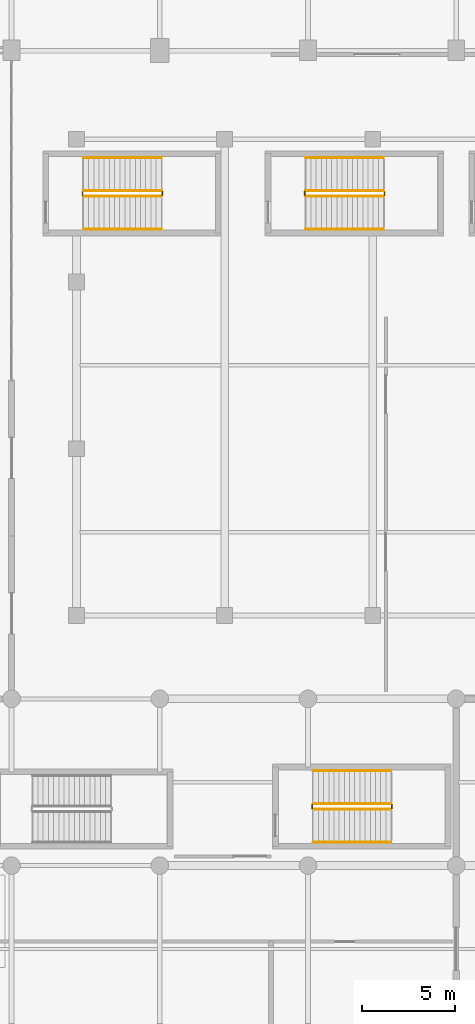
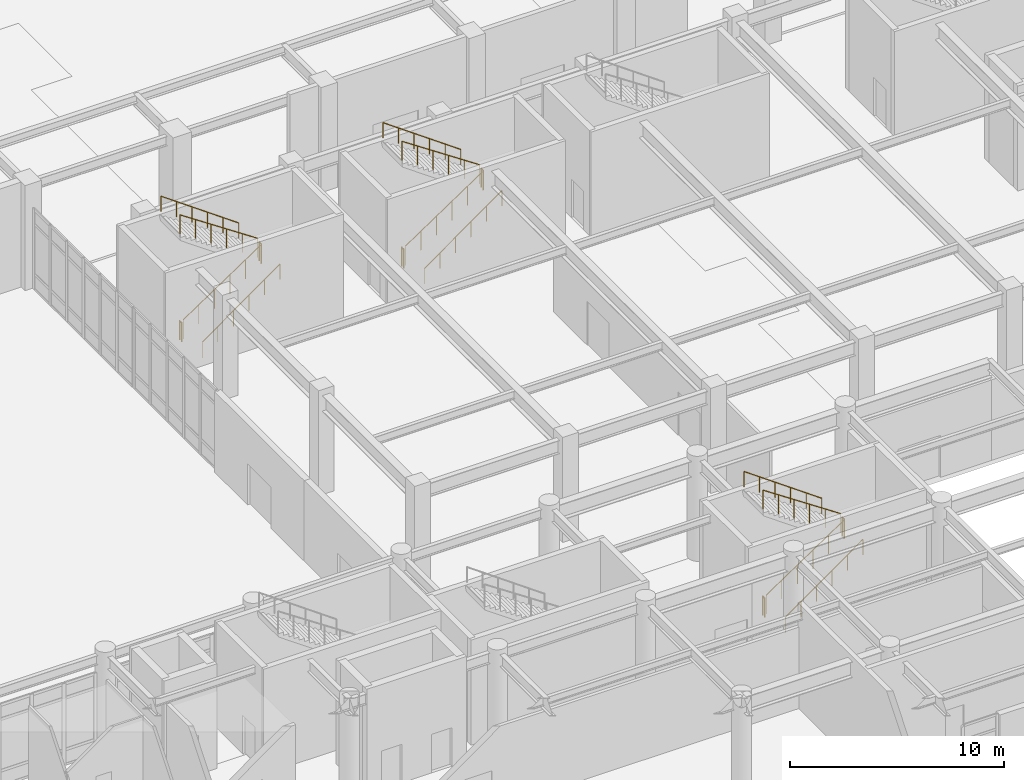
# One storey, part 44 of 49: 18 railings.
"""IFC4 building model written with IfcOpenShell, lengths in metres."""

from ifc_helpers import new_model, si_unit, direction, frame, origin, origin_2d, place, context, subcontext, project, spatial, circle, extrude, material, type_object, element, save


model = new_model("IFC4")

# Units and contexts
model_context = context("Model", 3, precision=1e-05, world=origin(), true_north=direction((0.0, 1.0)))
body_context = subcontext(model_context, "Body", "Model", "MODEL_VIEW")
ifc_project = project(units=[si_unit("LENGTHUNIT", "METRE"), si_unit("AREAUNIT", "SQUARE_METRE"), si_unit("VOLUMEUNIT", "CUBIC_METRE"), si_unit("PLANEANGLEUNIT", "RADIAN"), si_unit("MASSUNIT", "GRAM", prefix="KILO")], contexts=[model_context])

# Site, building, storey
site_placement = place(None, origin())
site = spatial("IfcSite", under=ifc_project, at=site_placement, CompositionType="ELEMENT")
building_placement = place(site_placement, origin())
building = spatial("IfcBuilding", under=site, at=building_placement, Name="Tlacozan Convention Centre", CompositionType="ELEMENT")
storey_placement = place(building_placement, origin())
storey = spatial("IfcBuildingStorey", under=building, at=storey_placement, Name="L00", CompositionType="ELEMENT", Elevation=0.0)

# Railings
ifc_material = material(Name="Architectural Painted Galvanised Steel Railing", Category="steel")
railing_type_1 = type_object("IfcRailingType", Name="Stair Wall Handrail 900", PredefinedType="HANDRAIL", material=ifc_material)
railing_1_placement = place(storey_placement, frame((104.280029296875, 19.25, 0.1875)))
element("IfcRailing", 1, at=railing_1_placement, inside=storey, type_object=railing_type_1, Name="L00 ST-05 stair handrail 1", PredefinedType="HANDRAIL", context=body_context, shape_type="SweptSolid", body=[
    extrude(circle(Radius=0.02392578125, at=origin_2d()), frame((0.0, 0.0, 0.8759765625), z_axis=(0.813730275137, 0.0, 0.581242668191), x_axis=(0.0, 1.0, 0.0)), (0.0, 0.0, 1.0), 5.161376953125),
    extrude(circle(Radius=0.02099609375, at=origin_2d()), origin(), (0.0, 0.0, 1.0), 0.851806640625),
    extrude(circle(Radius=0.02099609375, at=origin_2d()), frame((0.840087890625, 0.0, 0.60009765625)), (0.0, 0.0, 1.0), 0.851806640625),
    extrude(circle(Radius=0.02099609375, at=origin_2d()), frame((1.679931640625, 0.0, 1.199951171875)), (0.0, 0.0, 1.0), 0.851806640625),
    extrude(circle(Radius=0.02099609375, at=origin_2d()), frame((2.52001953125, 0.0, 1.800048828125)), (0.0, 0.0, 1.0), 0.851806640625),
    extrude(circle(Radius=0.02099609375, at=origin_2d()), frame((3.35986328125, 0.0, 2.39990234375)), (0.0, 0.0, 1.0), 0.851806640625),
    extrude(circle(Radius=0.02099609375, at=origin_2d()), frame((4.199951171875, 0.0, 3.0)), (0.0, 0.0, 1.0), 0.851806640625),
])
railing_2_placement = place(storey_placement, frame((108.47998046875, 23.110107421875, 3.1875)))
element("IfcRailing", 2, at=railing_2_placement, inside=storey, type_object=railing_type_1, Name="L00 ST-05 stair handrail 2", PredefinedType="HANDRAIL", context=body_context, shape_type="SweptSolid", body=[
    extrude(circle(Radius=0.02392578125, at=origin_2d()), frame((0.0, 0.0, 0.8759765625), z_axis=(-0.813730275137, 0.0, 0.581242668191), x_axis=(0.0, -1.0, 0.0)), (0.0, 0.0, 1.0), 5.161376953125),
    extrude(circle(Radius=0.02099609375, at=origin_2d()), origin(), (0.0, 0.0, 1.0), 0.851806640625),
    extrude(circle(Radius=0.02099609375, at=origin_2d()), frame((-0.840087890625, 0.0, 0.60009765625)), (0.0, 0.0, 1.0), 0.851806640625),
    extrude(circle(Radius=0.02099609375, at=origin_2d()), frame((-1.679931640625, 0.0, 1.199951171875)), (0.0, 0.0, 1.0), 0.851806640625),
    extrude(circle(Radius=0.02099609375, at=origin_2d()), frame((-2.52001953125, 0.0, 1.800048828125)), (0.0, 0.0, 1.0), 0.851806640625),
    extrude(circle(Radius=0.02099609375, at=origin_2d()), frame((-3.35986328125, 0.0, 2.39990234375)), (0.0, 0.0, 1.0), 0.851806640625),
    extrude(circle(Radius=0.02099609375, at=origin_2d()), frame((-4.199951171875, 0.0, 3.0)), (0.0, 0.0, 1.0), 0.851806640625),
])
railing_3_placement = place(storey_placement, frame((91.8798828125, 52.35009765625, 0.1875)))
element("IfcRailing", 3, at=railing_3_placement, inside=storey, type_object=railing_type_1, Name="L00 ST-06 stair handrail 1", PredefinedType="HANDRAIL", context=body_context, shape_type="SweptSolid", body=[
    extrude(circle(Radius=0.02392578125, at=origin_2d()), frame((0.0, 0.0, 0.8759765625), z_axis=(0.813746254747, 0.0, 0.581220296346), x_axis=(0.0, 1.0, 0.0)), (0.0, 0.0, 1.0), 5.16162109375),
    extrude(circle(Radius=0.02099609375, at=origin_2d()), origin(), (0.0, 0.0, 1.0), 0.851806640625),
    extrude(circle(Radius=0.02099609375, at=origin_2d()), frame((0.840087890625, 0.0, 0.60009765625)), (0.0, 0.0, 1.0), 0.851806640625),
    extrude(circle(Radius=0.02099609375, at=origin_2d()), frame((1.68017578125, 0.0, 1.199951171875)), (0.0, 0.0, 1.0), 0.851806640625),
    extrude(circle(Radius=0.02099609375, at=origin_2d()), frame((2.52001953125, 0.0, 1.800048828125)), (0.0, 0.0, 1.0), 0.851806640625),
    extrude(circle(Radius=0.02099609375, at=origin_2d()), frame((3.360107421875, 0.0, 2.39990234375)), (0.0, 0.0, 1.0), 0.851806640625),
    extrude(circle(Radius=0.02099609375, at=origin_2d()), frame((4.2001953125, 0.0, 3.0)), (0.0, 0.0, 1.0), 0.851806640625),
])
railing_4_placement = place(storey_placement, frame((96.080078125, 56.2099609375, 3.1875)))
element("IfcRailing", 4, at=railing_4_placement, inside=storey, type_object=railing_type_1, Name="L00 ST-06 stair handrail 2", PredefinedType="HANDRAIL", context=body_context, shape_type="SweptSolid", body=[
    extrude(circle(Radius=0.02392578125, at=origin_2d()), frame((0.0, 0.0, 0.8759765625), z_axis=(-0.813746254747, 0.0, 0.581220296346), x_axis=(0.0, -1.0, 0.0)), (0.0, 0.0, 1.0), 5.16162109375),
    extrude(circle(Radius=0.02099609375, at=origin_2d()), origin(), (0.0, 0.0, 1.0), 0.851806640625),
    extrude(circle(Radius=0.02099609375, at=origin_2d()), frame((-0.840087890625, 0.0, 0.60009765625)), (0.0, 0.0, 1.0), 0.851806640625),
    extrude(circle(Radius=0.02099609375, at=origin_2d()), frame((-1.68017578125, 0.0, 1.199951171875)), (0.0, 0.0, 1.0), 0.851806640625),
    extrude(circle(Radius=0.02099609375, at=origin_2d()), frame((-2.52001953125, 0.0, 1.800048828125)), (0.0, 0.0, 1.0), 0.851806640625),
    extrude(circle(Radius=0.02099609375, at=origin_2d()), frame((-3.360107421875, 0.0, 2.39990234375)), (0.0, 0.0, 1.0), 0.851806640625),
    extrude(circle(Radius=0.02099609375, at=origin_2d()), frame((-4.2001953125, 0.0, 3.0)), (0.0, 0.0, 1.0), 0.851806640625),
])
railing_5_placement = place(storey_placement, frame((103.8798828125, 52.35009765625, 0.1875)))
element("IfcRailing", 5, at=railing_5_placement, inside=storey, type_object=railing_type_1, Name="L00 ST-17 stair handrail 1", PredefinedType="HANDRAIL", context=body_context, shape_type="SweptSolid", body=[
    extrude(circle(Radius=0.02392578125, at=origin_2d()), frame((0.0, 0.0, 0.8759765625), z_axis=(0.813746254747, 0.0, 0.581220296346), x_axis=(0.0, 1.0, 0.0)), (0.0, 0.0, 1.0), 5.16162109375),
    extrude(circle(Radius=0.02099609375, at=origin_2d()), origin(), (0.0, 0.0, 1.0), 0.851806640625),
    extrude(circle(Radius=0.02099609375, at=origin_2d()), frame((0.840087890625, 0.0, 0.60009765625)), (0.0, 0.0, 1.0), 0.851806640625),
    extrude(circle(Radius=0.02099609375, at=origin_2d()), frame((1.68017578125, 0.0, 1.199951171875)), (0.0, 0.0, 1.0), 0.851806640625),
    extrude(circle(Radius=0.02099609375, at=origin_2d()), frame((2.52001953125, 0.0, 1.800048828125)), (0.0, 0.0, 1.0), 0.851806640625),
    extrude(circle(Radius=0.02099609375, at=origin_2d()), frame((3.360107421875, 0.0, 2.39990234375)), (0.0, 0.0, 1.0), 0.851806640625),
    extrude(circle(Radius=0.02099609375, at=origin_2d()), frame((4.2001953125, 0.0, 3.0)), (0.0, 0.0, 1.0), 0.851806640625),
])
railing_6_placement = place(storey_placement, frame((108.080078125, 56.2099609375, 3.1875)))
element("IfcRailing", 6, at=railing_6_placement, inside=storey, type_object=railing_type_1, Name="L00 ST-17 stair handrail 2", PredefinedType="HANDRAIL", context=body_context, shape_type="SweptSolid", body=[
    extrude(circle(Radius=0.02392578125, at=origin_2d()), frame((0.0, 0.0, 0.8759765625), z_axis=(-0.813746254747, 0.0, 0.581220296346), x_axis=(0.0, -1.0, 0.0)), (0.0, 0.0, 1.0), 5.16162109375),
    extrude(circle(Radius=0.02099609375, at=origin_2d()), origin(), (0.0, 0.0, 1.0), 0.851806640625),
    extrude(circle(Radius=0.02099609375, at=origin_2d()), frame((-0.840087890625, 0.0, 0.60009765625)), (0.0, 0.0, 1.0), 0.851806640625),
    extrude(circle(Radius=0.02099609375, at=origin_2d()), frame((-1.68017578125, 0.0, 1.199951171875)), (0.0, 0.0, 1.0), 0.851806640625),
    extrude(circle(Radius=0.02099609375, at=origin_2d()), frame((-2.52001953125, 0.0, 1.800048828125)), (0.0, 0.0, 1.0), 0.851806640625),
    extrude(circle(Radius=0.02099609375, at=origin_2d()), frame((-3.360107421875, 0.0, 2.39990234375)), (0.0, 0.0, 1.0), 0.851806640625),
    extrude(circle(Radius=0.02099609375, at=origin_2d()), frame((-4.2001953125, 0.0, 3.0)), (0.0, 0.0, 1.0), 0.851806640625),
])
railing_type_2 = type_object("IfcRailingType", Name="Stair Well Guardrail 1100", PredefinedType="GUARDRAIL", material=ifc_material)
railing_7_placement = place(storey_placement, frame((104.280029296875, 21.030029296875, 0.1875)))
element("IfcRailing", 7, at=railing_7_placement, inside=storey, type_object=railing_type_2, Name="L00 ST-05 stair guard 1", PredefinedType="GUARDRAIL", context=body_context, shape_type="SweptSolid", body=[
    extrude(circle(Radius=0.02392578125, at=origin_2d()), frame((0.0, 0.0, 1.076171875), z_axis=(0.830904186295, 0.0, 0.556415522067), x_axis=(0.0, 1.0, 0.0)), (0.0, 0.0, 1.0), 5.0546875),
    extrude(circle(Radius=0.02099609375, at=origin_2d()), origin(), (0.0, 0.0, 1.0), 1.052001953125),
    extrude(circle(Radius=0.02099609375, at=origin_2d()), frame((0.840087890625, 0.0, 0.5625)), (0.0, 0.0, 1.0), 1.052001953125),
    extrude(circle(Radius=0.02099609375, at=origin_2d()), frame((1.679931640625, 0.0, 1.125)), (0.0, 0.0, 1.0), 1.052001953125),
    extrude(circle(Radius=0.02099609375, at=origin_2d()), frame((2.52001953125, 0.0, 1.6875)), (0.0, 0.0, 1.0), 1.052001953125),
    extrude(circle(Radius=0.02099609375, at=origin_2d()), frame((3.35986328125, 0.0, 2.25)), (0.0, 0.0, 1.0), 1.052001953125),
    extrude(circle(Radius=0.02099609375, at=origin_2d()), frame((4.199951171875, 0.0, 2.8125)), (0.0, 0.0, 1.0), 1.052001953125),
])
railing_8_placement = place(storey_placement, frame((108.530029296875, 21.080078125, 3.0)))
element("IfcRailing", 8, at=railing_8_placement, inside=storey, type_object=railing_type_2, Name="L00 ST-05 stair guard 2", PredefinedType="GUARDRAIL", context=body_context, shape_type="SweptSolid", body=[
    extrude(circle(Radius=0.02392578125, at=origin_2d()), frame((0.0, 0.0, 1.076171875), z_axis=(0.0, 1.0, 0.0), x_axis=(-1.0, 0.0, 0.0)), (0.0, 0.0, 1.0), 0.199951171875),
    extrude(circle(Radius=0.02099609375, at=origin_2d()), origin(), (0.0, 0.0, 1.0), 1.052001953125),
    extrude(circle(Radius=0.02099609375, at=origin_2d()), frame((0.0, 0.199951171875, 0.0)), (0.0, 0.0, 1.0), 1.052001953125),
])
railing_9_placement = place(storey_placement, frame((108.47998046875, 21.330078125, 3.1875)))
element("IfcRailing", 9, at=railing_9_placement, inside=storey, type_object=railing_type_2, Name="L00 ST-05 stair guard 3", PredefinedType="GUARDRAIL", context=body_context, shape_type="SweptSolid", body=[
    extrude(circle(Radius=0.02392578125, at=origin_2d()), frame((0.0, 0.0, 1.076171875), z_axis=(-0.830904186295, 0.0, 0.556415522067), x_axis=(0.0, -1.0, 0.0)), (0.0, 0.0, 1.0), 5.0546875),
    extrude(circle(Radius=0.02099609375, at=origin_2d()), origin(), (0.0, 0.0, 1.0), 1.052001953125),
    extrude(circle(Radius=0.02099609375, at=origin_2d()), frame((-0.840087890625, 0.0, 0.5625)), (0.0, 0.0, 1.0), 1.052001953125),
    extrude(circle(Radius=0.02099609375, at=origin_2d()), frame((-1.679931640625, 0.0, 1.125)), (0.0, 0.0, 1.0), 1.052001953125),
    extrude(circle(Radius=0.02099609375, at=origin_2d()), frame((-2.52001953125, 0.0, 1.6875)), (0.0, 0.0, 1.0), 1.052001953125),
    extrude(circle(Radius=0.02099609375, at=origin_2d()), frame((-3.35986328125, 0.0, 2.25)), (0.0, 0.0, 1.0), 1.052001953125),
    extrude(circle(Radius=0.02099609375, at=origin_2d()), frame((-4.199951171875, 0.0, 2.8125)), (0.0, 0.0, 1.0), 1.052001953125),
])
railing_10_placement = place(storey_placement, frame((104.22998046875, 21.080078125, 0.0)))
element("IfcRailing", 10, at=railing_10_placement, inside=storey, type_object=railing_type_2, Name="L00 ST-05 stair guard 4", PredefinedType="GUARDRAIL", context=body_context, shape_type="SweptSolid", body=[
    extrude(circle(Radius=0.02392578125, at=origin_2d()), frame((0.0, 0.0, 1.076171875), z_axis=(0.0, 1.0, 0.0), x_axis=(-1.0, 0.0, 0.0)), (0.0, 0.0, 1.0), 0.199951171875),
    extrude(circle(Radius=0.02099609375, at=origin_2d()), origin(), (0.0, 0.0, 1.0), 1.052001953125),
    extrude(circle(Radius=0.02099609375, at=origin_2d()), frame((0.0, 0.199951171875, 0.0)), (0.0, 0.0, 1.0), 1.052001953125),
])
railing_11_placement = place(storey_placement, frame((91.8798828125, 54.1298828125, 0.1875)))
element("IfcRailing", 11, at=railing_11_placement, inside=storey, type_object=railing_type_2, Name="L00 ST-06 stair guard 1", PredefinedType="GUARDRAIL", context=body_context, shape_type="SweptSolid", body=[
    extrude(circle(Radius=0.02392578125, at=origin_2d()), frame((0.0, 0.0, 1.076171875), z_axis=(0.830919138977, 0.0, 0.55639319234), x_axis=(0.0, 1.0, 0.0)), (0.0, 0.0, 1.0), 5.054931640625),
    extrude(circle(Radius=0.02099609375, at=origin_2d()), origin(), (0.0, 0.0, 1.0), 1.052001953125),
    extrude(circle(Radius=0.02099609375, at=origin_2d()), frame((0.840087890625, 0.0, 0.5625)), (0.0, 0.0, 1.0), 1.052001953125),
    extrude(circle(Radius=0.02099609375, at=origin_2d()), frame((1.68017578125, 0.0, 1.125)), (0.0, 0.0, 1.0), 1.052001953125),
    extrude(circle(Radius=0.02099609375, at=origin_2d()), frame((2.52001953125, 0.0, 1.6875)), (0.0, 0.0, 1.0), 1.052001953125),
    extrude(circle(Radius=0.02099609375, at=origin_2d()), frame((3.360107421875, 0.0, 2.25)), (0.0, 0.0, 1.0), 1.052001953125),
    extrude(circle(Radius=0.02099609375, at=origin_2d()), frame((4.2001953125, 0.0, 2.8125)), (0.0, 0.0, 1.0), 1.052001953125),
])
railing_12_placement = place(storey_placement, frame((96.1298828125, 54.179931640625, 3.0)))
element("IfcRailing", 12, at=railing_12_placement, inside=storey, type_object=railing_type_2, Name="L00 ST-06 stair guard 2", PredefinedType="GUARDRAIL", context=body_context, shape_type="SweptSolid", body=[
    extrude(circle(Radius=0.02392578125, at=origin_2d()), frame((0.0, 0.0, 1.076171875), z_axis=(0.0, 1.0, 0.0), x_axis=(-1.0, 0.0, 0.0)), (0.0, 0.0, 1.0), 0.199951171875),
    extrude(circle(Radius=0.02099609375, at=origin_2d()), origin(), (0.0, 0.0, 1.0), 1.052001953125),
    extrude(circle(Radius=0.02099609375, at=origin_2d()), frame((0.0, 0.199951171875, 0.0)), (0.0, 0.0, 1.0), 1.052001953125),
])
railing_13_placement = place(storey_placement, frame((96.080078125, 54.429931640625, 3.1875)))
element("IfcRailing", 13, at=railing_13_placement, inside=storey, type_object=railing_type_2, Name="L00 ST-06 stair guard 3", PredefinedType="GUARDRAIL", context=body_context, shape_type="SweptSolid", body=[
    extrude(circle(Radius=0.02392578125, at=origin_2d()), frame((0.0, 0.0, 1.076171875), z_axis=(-0.830919138977, 0.0, 0.55639319234), x_axis=(0.0, -1.0, 0.0)), (0.0, 0.0, 1.0), 5.054931640625),
    extrude(circle(Radius=0.02099609375, at=origin_2d()), origin(), (0.0, 0.0, 1.0), 1.052001953125),
    extrude(circle(Radius=0.02099609375, at=origin_2d()), frame((-0.840087890625, 0.0, 0.5625)), (0.0, 0.0, 1.0), 1.052001953125),
    extrude(circle(Radius=0.02099609375, at=origin_2d()), frame((-1.68017578125, 0.0, 1.125)), (0.0, 0.0, 1.0), 1.052001953125),
    extrude(circle(Radius=0.02099609375, at=origin_2d()), frame((-2.52001953125, 0.0, 1.6875)), (0.0, 0.0, 1.0), 1.052001953125),
    extrude(circle(Radius=0.02099609375, at=origin_2d()), frame((-3.360107421875, 0.0, 2.25)), (0.0, 0.0, 1.0), 1.052001953125),
    extrude(circle(Radius=0.02099609375, at=origin_2d()), frame((-4.2001953125, 0.0, 2.8125)), (0.0, 0.0, 1.0), 1.052001953125),
])
railing_14_placement = place(storey_placement, frame((91.830078125, 54.179931640625, 0.0)))
element("IfcRailing", 14, at=railing_14_placement, inside=storey, type_object=railing_type_2, Name="L00 ST-06 stair guard 4", PredefinedType="GUARDRAIL", context=body_context, shape_type="SweptSolid", body=[
    extrude(circle(Radius=0.02392578125, at=origin_2d()), frame((0.0, 0.0, 1.076171875), z_axis=(0.0, 1.0, 0.0), x_axis=(-1.0, 0.0, 0.0)), (0.0, 0.0, 1.0), 0.199951171875),
    extrude(circle(Radius=0.02099609375, at=origin_2d()), origin(), (0.0, 0.0, 1.0), 1.052001953125),
    extrude(circle(Radius=0.02099609375, at=origin_2d()), frame((0.0, 0.199951171875, 0.0)), (0.0, 0.0, 1.0), 1.052001953125),
])
railing_15_placement = place(storey_placement, frame((103.8798828125, 54.1298828125, 0.1875)))
element("IfcRailing", 15, at=railing_15_placement, inside=storey, type_object=railing_type_2, Name="L00 ST-17 stair guard 1", PredefinedType="GUARDRAIL", context=body_context, shape_type="SweptSolid", body=[
    extrude(circle(Radius=0.02392578125, at=origin_2d()), frame((0.0, 0.0, 1.076171875), z_axis=(0.830919138977, 0.0, 0.55639319234), x_axis=(0.0, 1.0, 0.0)), (0.0, 0.0, 1.0), 5.054931640625),
    extrude(circle(Radius=0.02099609375, at=origin_2d()), origin(), (0.0, 0.0, 1.0), 1.052001953125),
    extrude(circle(Radius=0.02099609375, at=origin_2d()), frame((0.840087890625, 0.0, 0.5625)), (0.0, 0.0, 1.0), 1.052001953125),
    extrude(circle(Radius=0.02099609375, at=origin_2d()), frame((1.68017578125, 0.0, 1.125)), (0.0, 0.0, 1.0), 1.052001953125),
    extrude(circle(Radius=0.02099609375, at=origin_2d()), frame((2.52001953125, 0.0, 1.6875)), (0.0, 0.0, 1.0), 1.052001953125),
    extrude(circle(Radius=0.02099609375, at=origin_2d()), frame((3.360107421875, 0.0, 2.25)), (0.0, 0.0, 1.0), 1.052001953125),
    extrude(circle(Radius=0.02099609375, at=origin_2d()), frame((4.2001953125, 0.0, 2.8125)), (0.0, 0.0, 1.0), 1.052001953125),
])
railing_16_placement = place(storey_placement, frame((108.1298828125, 54.179931640625, 3.0)))
element("IfcRailing", 16, at=railing_16_placement, inside=storey, type_object=railing_type_2, Name="L00 ST-17 stair guard 2", PredefinedType="GUARDRAIL", context=body_context, shape_type="SweptSolid", body=[
    extrude(circle(Radius=0.02392578125, at=origin_2d()), frame((0.0, 0.0, 1.076171875), z_axis=(0.0, 1.0, 0.0), x_axis=(-1.0, 0.0, 0.0)), (0.0, 0.0, 1.0), 0.199951171875),
    extrude(circle(Radius=0.02099609375, at=origin_2d()), origin(), (0.0, 0.0, 1.0), 1.052001953125),
    extrude(circle(Radius=0.02099609375, at=origin_2d()), frame((0.0, 0.199951171875, 0.0)), (0.0, 0.0, 1.0), 1.052001953125),
])
railing_17_placement = place(storey_placement, frame((108.080078125, 54.429931640625, 3.1875)))
element("IfcRailing", 17, at=railing_17_placement, inside=storey, type_object=railing_type_2, Name="L00 ST-17 stair guard 3", PredefinedType="GUARDRAIL", context=body_context, shape_type="SweptSolid", body=[
    extrude(circle(Radius=0.02392578125, at=origin_2d()), frame((0.0, 0.0, 1.076171875), z_axis=(-0.830919138977, 0.0, 0.55639319234), x_axis=(0.0, -1.0, 0.0)), (0.0, 0.0, 1.0), 5.054931640625),
    extrude(circle(Radius=0.02099609375, at=origin_2d()), origin(), (0.0, 0.0, 1.0), 1.052001953125),
    extrude(circle(Radius=0.02099609375, at=origin_2d()), frame((-0.840087890625, 0.0, 0.5625)), (0.0, 0.0, 1.0), 1.052001953125),
    extrude(circle(Radius=0.02099609375, at=origin_2d()), frame((-1.68017578125, 0.0, 1.125)), (0.0, 0.0, 1.0), 1.052001953125),
    extrude(circle(Radius=0.02099609375, at=origin_2d()), frame((-2.52001953125, 0.0, 1.6875)), (0.0, 0.0, 1.0), 1.052001953125),
    extrude(circle(Radius=0.02099609375, at=origin_2d()), frame((-3.360107421875, 0.0, 2.25)), (0.0, 0.0, 1.0), 1.052001953125),
    extrude(circle(Radius=0.02099609375, at=origin_2d()), frame((-4.2001953125, 0.0, 2.8125)), (0.0, 0.0, 1.0), 1.052001953125),
])
railing_18_placement = place(storey_placement, frame((103.830078125, 54.179931640625, 0.0)))
element("IfcRailing", 18, at=railing_18_placement, inside=storey, type_object=railing_type_2, Name="L00 ST-17 stair guard 4", PredefinedType="GUARDRAIL", context=body_context, shape_type="SweptSolid", body=[
    extrude(circle(Radius=0.02392578125, at=origin_2d()), frame((0.0, 0.0, 1.076171875), z_axis=(0.0, 1.0, 0.0), x_axis=(-1.0, 0.0, 0.0)), (0.0, 0.0, 1.0), 0.199951171875),
    extrude(circle(Radius=0.02099609375, at=origin_2d()), origin(), (0.0, 0.0, 1.0), 1.052001953125),
    extrude(circle(Radius=0.02099609375, at=origin_2d()), frame((0.0, 0.199951171875, 0.0)), (0.0, 0.0, 1.0), 1.052001953125),
])

save(model, "model.ifc")
